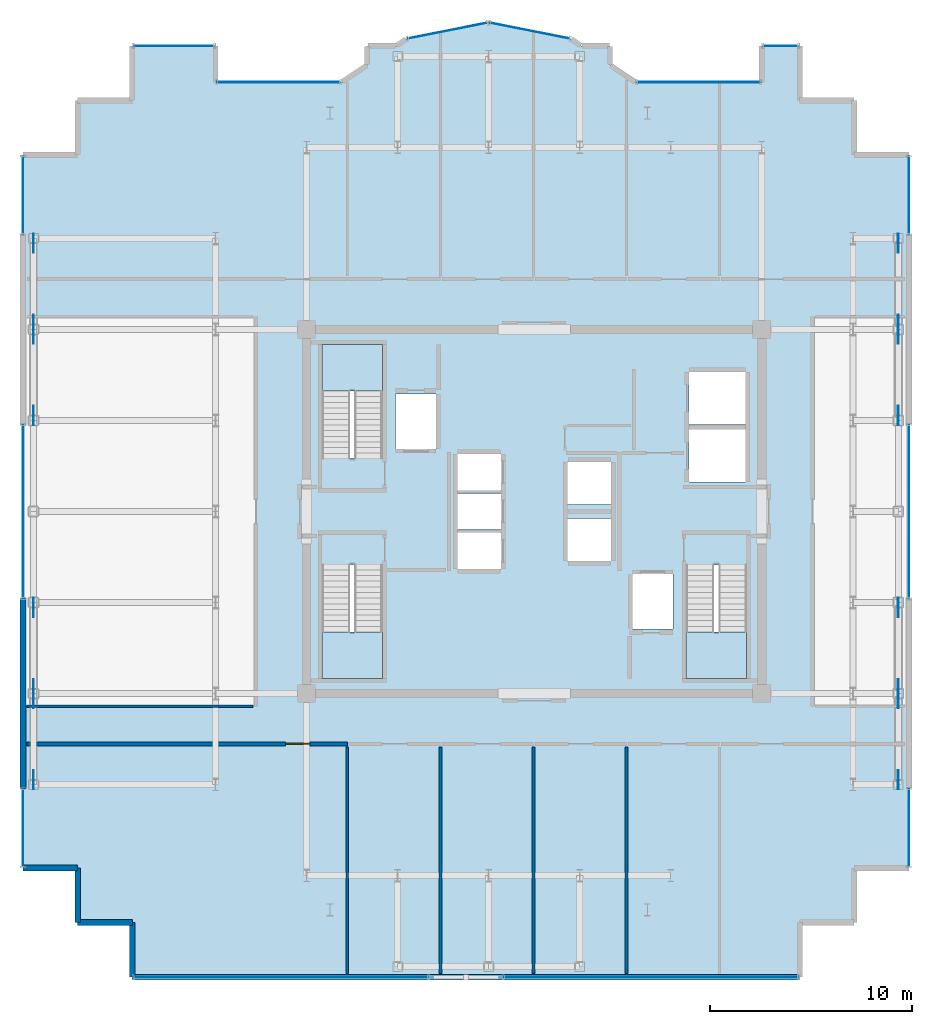
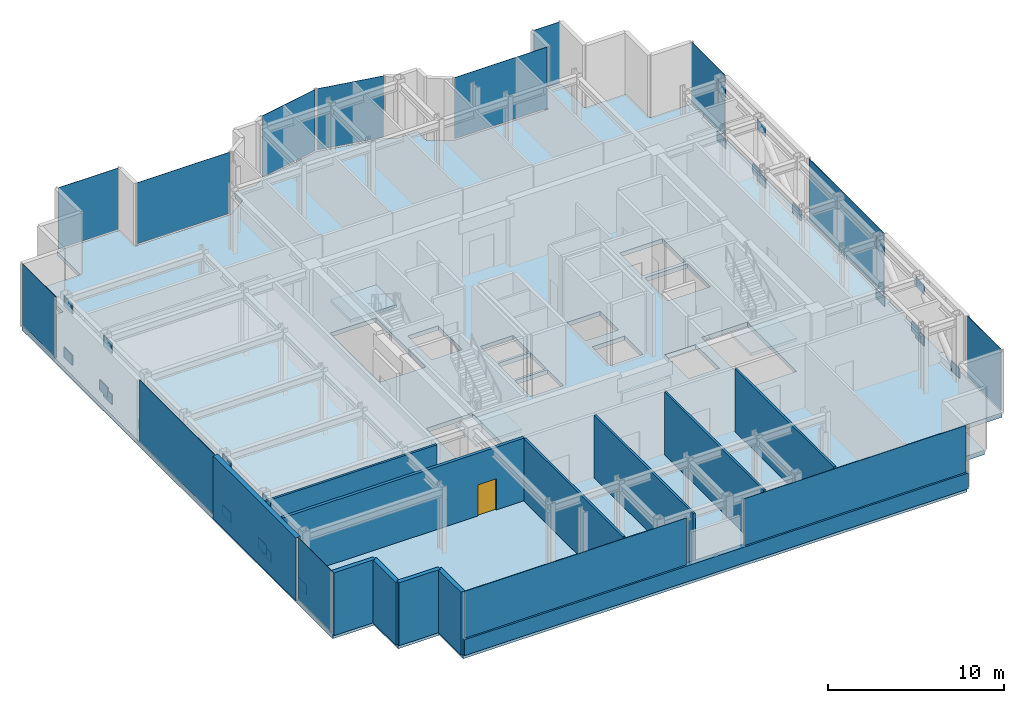
# One storey, part 12 of 18: 38 plates, 12 walls, 4 slabs, 1 door, 1 opening, 17 elements without a shape of their own.
"""IFC4 building model written with IfcOpenShell, lengths in metres."""

import ifcopenshell
import ifcopenshell.guid

model = None  # the IFC model being written
_history = None  # IfcOwnerHistory: only IFC2X3 demands one
_inside = {}  # id of a spatial element -> (the spatial element, [elements in it])
_under = {}  # id of a project, library or spatial element -> (it, [spatial elements below it])
_declared = {}  # id of a project -> (the project, [libraries it declares])
_typed = {}  # id of a type object -> (the type object, [elements of that type])
_made_of = {}  # id of a material, layer set ... -> (it, [elements and type objects made of it])


def new_model(schema):
    """Start an empty IFC model of exactly this schema.

    Asked for "IFC4X3", IfcOpenShell would pick the latest addendum, in which some entities
    have other attributes; the version numbers below select the first issue.
    IFC2X3 requires an IfcOwnerHistory on every rooted entity: one is made here for all.
    """
    global model, _history
    if schema == "IFC4X3":
        model = ifcopenshell.file(schema_version=(4, 3, 0, 0))
    else:
        model = ifcopenshell.file(schema=schema)
    _inside.clear()
    _under.clear()
    _declared.clear()
    _typed.clear()
    _made_of.clear()
    _history = None
    if model.schema == "IFC2X3":
        org = make("IfcOrganization", Name="unknown")
        user = make(
            "IfcPersonAndOrganization",
            ThePerson=make("IfcPerson", FamilyName="unknown"),
            TheOrganization=org,
        )
        app = make(
            "IfcApplication",
            ApplicationDeveloper=org,
            Version="unknown",
            ApplicationFullName="unknown",
            ApplicationIdentifier="unknown",
        )
        _history = make(
            "IfcOwnerHistory",
            OwningUser=user,
            OwningApplication=app,
            ChangeAction="ADDED",
            CreationDate=0,
        )
    return model


def make(cls, **values):
    """One entity of the class cls with the attributes given. An attribute that is None is left unset."""
    return model.create_entity(
        cls, **{name: value for name, value in values.items() if value is not None}
    )


def rooted(cls, **values):
    """An entity with a GlobalId (a new one), such as an element, a storey or a relation."""
    return make(cls, GlobalId=ifcopenshell.guid.new(), OwnerHistory=_history, **values)


def si_unit(unit_type, name, prefix=None):
    """IfcSIUnit, for example si_unit("LENGTHUNIT", "METRE", prefix="MILLI")."""
    return make("IfcSIUnit", UnitType=unit_type, Prefix=prefix, Name=name)


def assignment(units):
    """IfcUnitAssignment: the units of a project."""
    return None if units is None else make("IfcUnitAssignment", Units=units)


def point(xyz):
    """IfcCartesianPoint."""
    return None if xyz is None else make("IfcCartesianPoint", Coordinates=xyz)


def direction(xyz):
    """IfcDirection."""
    return None if xyz is None else make("IfcDirection", DirectionRatios=xyz)


def frame(location, z_axis=None, x_axis=None):
    """IfcAxis2Placement3D, a coordinate frame: its origin and axes. An axis left out is left unset."""
    return make(
        "IfcAxis2Placement3D",
        Location=point(location),
        Axis=direction(z_axis),
        RefDirection=direction(x_axis),
    )


def frame_2d(location, x_axis=None):
    """IfcAxis2Placement2D, a coordinate frame in the plane: its origin and x axis."""
    return make(
        "IfcAxis2Placement2D", Location=point(location), RefDirection=direction(x_axis)
    )


def origin():
    """The frame at (0, 0, 0) with its axes left unset."""
    return frame((0.0, 0.0, 0.0))


def origin_2d():
    """The frame at (0, 0) in the plane with its x axis left unset."""
    return frame_2d((0.0, 0.0))


def place(relative_to, where):
    """IfcLocalPlacement: puts the frame where relative to a parent placement (None: the world)."""
    return make(
        "IfcLocalPlacement", PlacementRelTo=relative_to, RelativePlacement=where
    )


def context(
    kind, dimensions, precision=None, world=None, true_north=None, identifier=None
):
    """IfcGeometricRepresentationContext, for example the 3D "Model" context."""
    return make(
        "IfcGeometricRepresentationContext",
        ContextIdentifier=identifier,
        ContextType=kind,
        CoordinateSpaceDimension=dimensions,
        Precision=precision,
        WorldCoordinateSystem=world,
        TrueNorth=true_north,
    )


def subcontext(parent, identifier, kind, view, scale=None):
    """IfcGeometricRepresentationSubContext, for example "Body" below "Model"."""
    return make(
        "IfcGeometricRepresentationSubContext",
        ContextIdentifier=identifier,
        ContextType=kind,
        ParentContext=parent,
        TargetScale=scale,
        TargetView=view,
    )


def project(units=None, contexts=None):
    """IfcProject with its units and contexts."""
    return rooted(
        "IfcProject",
        Name="project",
        RepresentationContexts=contexts,
        UnitsInContext=assignment(units),
    )


def spatial(cls, under=None, at=None, **own):
    """A site, building, storey or space (cls), placed at a placement, below another one or the project."""
    s = rooted(cls, ObjectPlacement=at, **own)
    if under is not None:
        _under.setdefault(under.id(), (under, []))[1].append(s)
    return s


def polyline(points):
    """IfcPolyline through the points."""
    return make("IfcPolyline", Points=[point(p) for p in points])


def profile(cls, at=None, kind="AREA", **sizes):
    """A parametric profile (cls). Its sizes go by their IFC names, for example OverallWidth=200.0."""
    return make(cls, ProfileType=kind, Position=at, **sizes)


def rectangle(**sizes):
    """IfcRectangleProfileDef."""
    return profile("IfcRectangleProfileDef", **sizes)


def outline(outer, holes=None, kind="AREA"):
    """IfcArbitraryClosedProfileDef: a profile drawn as a closed curve; with holes, ...WithVoids."""
    if holes is None:
        return make("IfcArbitraryClosedProfileDef", ProfileType=kind, OuterCurve=outer)
    return make(
        "IfcArbitraryProfileDefWithVoids",
        ProfileType=kind,
        OuterCurve=outer,
        InnerCurves=holes,
    )


def extrude(swept, where, along, depth):
    """IfcExtrudedAreaSolid: the profile swept, set in the frame where, extruded along a direction by depth."""
    return make(
        "IfcExtrudedAreaSolid",
        SweptArea=swept,
        Position=where,
        ExtrudedDirection=direction(along),
        Depth=depth,
    )


def shape(context_of_items, identifier, shape_type, items):
    """IfcShapeRepresentation: the items that make up one representation, for example the "Body"."""
    return make(
        "IfcShapeRepresentation",
        ContextOfItems=context_of_items,
        RepresentationIdentifier=identifier,
        RepresentationType=shape_type,
        Items=items,
    )


def source(mapping_origin, context_of_items, identifier, shape_type, items):
    """IfcRepresentationMap: a shape defined once, which mapped items show again and again."""
    return make(
        "IfcRepresentationMap",
        MappingOrigin=mapping_origin,
        MappedRepresentation=shape(context_of_items, identifier, shape_type, items),
    )


def transform(
    local_origin,
    x_axis=None,
    y_axis=None,
    z_axis=None,
    scale=None,
    scale2=None,
    scale3=None,
    uniform=True,
):
    """IfcCartesianTransformationOperator3D, or its non-uniform kind. x_axis, y_axis, z_axis: its Axis1, 2, 3."""
    if uniform:
        return make(
            "IfcCartesianTransformationOperator3D",
            Axis1=direction(x_axis),
            Axis2=direction(y_axis),
            LocalOrigin=point(local_origin),
            Scale=scale,
            Axis3=direction(z_axis),
        )
    return make(
        "IfcCartesianTransformationOperator3DnonUniform",
        Axis1=direction(x_axis),
        Axis2=direction(y_axis),
        LocalOrigin=point(local_origin),
        Scale=scale,
        Axis3=direction(z_axis),
        Scale2=scale2,
        Scale3=scale3,
    )


def mapped(mapping_source, mapping_target):
    """IfcMappedItem: shows the shape of a source again, moved by a transform."""
    return make(
        "IfcMappedItem", MappingSource=mapping_source, MappingTarget=mapping_target
    )


def material(Name=None, Category=None):
    """IfcMaterial."""
    return make("IfcMaterial", Name=Name, Category=Category)


def layer(
    of_material, thickness, ventilated=None, Name=None, Category=None, Priority=None
):
    """IfcMaterialLayer: one layer of a wall or slab, of a material (None: an air gap)."""
    return make(
        "IfcMaterialLayer",
        Material=of_material,
        LayerThickness=thickness,
        IsVentilated=ventilated,
        Name=Name,
        Category=Category,
        Priority=Priority,
    )


def layer_set(layers, Name=None):
    """IfcMaterialLayerSet."""
    return make("IfcMaterialLayerSet", MaterialLayers=layers, LayerSetName=Name)


def made_of(thing, what):
    """Note that an element or type object is made of a material, layer set ...; save() writes the relation."""
    if what is not None:
        _made_of.setdefault(what.id(), (what, []))[1].append(thing)
    return thing


def type_object(cls, material=None, **own):
    """A type object (cls), such as IfcWallType, which elements share."""
    return made_of(rooted(cls, **own), material)


def element(
    cls,
    number,
    at=None,
    inside=None,
    cuts=None,
    type_object=None,
    material=None,
    context=None,
    identifier="Body",
    shape_type=None,
    held_by="IfcProductDefinitionShape",
    body=None,
    shapes=None,
    **own,
):
    """One element of the class cls, such as IfcWall. Its Tag is "e" and its number.

    at: its placement. inside: the storey or other place that contains it. cuts: it is an
    opening in that element (IfcRelVoidsElement). A single representation is given by context,
    identifier, shape_type and body (its items); several are given by shapes. held_by: the class
    of the entity that holds the representations. save() writes the other relations.
    """
    e = rooted(cls, Tag="e%d" % number, ObjectPlacement=at, **own)
    if body is not None:
        shapes = [shape(context, identifier, shape_type, body)]
    if shapes is not None:
        e.Representation = make(held_by, Representations=shapes)
    if inside is not None:
        _inside.setdefault(inside.id(), (inside, []))[1].append(e)
    if cuts is not None:
        rooted(
            "IfcRelVoidsElement", RelatingBuildingElement=cuts, RelatedOpeningElement=e
        )
    if type_object is not None:
        _typed.setdefault(type_object.id(), (type_object, []))[1].append(e)
    return made_of(e, material)


def fill(opening, filler):
    """IfcRelFillsElement: the door or window that sits in an opening."""
    return rooted(
        "IfcRelFillsElement",
        RelatingOpeningElement=opening,
        RelatedBuildingElement=filler,
    )


def aggregate(whole, parts):
    """IfcRelAggregates: a whole, such as a stair, and the parts it consists of."""
    return rooted("IfcRelAggregates", RelatingObject=whole, RelatedObjects=parts)


def save(model, path):
    """Write the relations noted so far, then the file.

    IfcRelAggregates (storeys below a building ...), IfcRelContainedInSpatialStructure (elements
    in a storey), IfcRelDefinesByType, IfcRelAssociatesMaterial and IfcRelDeclares: one each for
    every whole, place, type object, material and project.
    """
    for whole, parts in _under.values():
        aggregate(whole, parts)
    for where, things in _inside.values():
        rooted(
            "IfcRelContainedInSpatialStructure",
            RelatedElements=things,
            RelatingStructure=where,
        )
    for kind, things in _typed.values():
        rooted("IfcRelDefinesByType", RelatedObjects=things, RelatingType=kind)
    for what, things in _made_of.values():
        rooted("IfcRelAssociatesMaterial", RelatedObjects=things, RelatingMaterial=what)
    for by, libraries in _declared.values():
        rooted("IfcRelDeclares", RelatingContext=by, RelatedDefinitions=libraries)
    model.write(path)


model = new_model("IFC4")

# Units and contexts
model_context = context("Model", 3, precision=1e-05, world=origin(), true_north=direction((0.0, 1.0)))
body_context = subcontext(model_context, "Body", "Model", "MODEL_VIEW")
ifc_project = project(units=[si_unit("LENGTHUNIT", "METRE"), si_unit("AREAUNIT", "SQUARE_METRE"), si_unit("VOLUMEUNIT", "CUBIC_METRE"), si_unit("PLANEANGLEUNIT", "RADIAN"), si_unit("MASSUNIT", "GRAM", prefix="KILO")], contexts=[model_context])

# Site, building, storey
site_placement = place(None, origin())
site = spatial("IfcSite", under=ifc_project, at=site_placement, CompositionType="ELEMENT")
building_placement = place(site_placement, origin())
building = spatial("IfcBuilding", under=site, at=building_placement, Name="Nefas-Gora Pilgrimage Tower", CompositionType="ELEMENT")
storey_placement = place(building_placement, frame((0.0, 0.0, 317.800048828125)))
storey = spatial("IfcBuildingStorey", under=building, at=storey_placement, Name="L80", CompositionType="ELEMENT", Elevation=317.800048828125)

# Slab
ifc_material_1 = material(Name="Concrete C45/55", Category="concrete")
ifc_layer_1 = layer(ifc_material_1, 0.300048828125)
ifc_layer_set_1 = layer_set([ifc_layer_1], Name="Concrete C45/55")
slab_type_1 = type_object("IfcSlabType", Name="SLB-SPEC-300", PredefinedType="FLOOR", material=ifc_layer_set_1)
slab_1_placement = place(storey_placement, frame((0.0, 0.0, -0.300048828125)))
element("IfcSlab", 1, at=slab_1_placement, inside=storey, type_object=slab_type_1, Name="L80 Structural Floor Slab", PredefinedType="FLOOR", context=body_context, shape_type="SweptSolid", body=[
    extrude(outline(polyline([(15.820068359375, -17.6201171875), (18.52001953125, -17.6201171875), (18.52001953125, 17.6201171875), (15.820068359375, 17.6201171875), (15.820068359375, 20.320068359375), (13.1201171875, 20.320068359375), (13.1201171875, 23.02001953125), (11.25, 23.02001953125), (11.25, 21.219970703125), (5.01806640625, 21.219970703125), (3.75, 22.0673828125), (3.75, 23.02001953125), (2.32421875, 23.02001953125), (1.807373046875, 23.365234375), (-2.25, 24.17236328125), (-6.307373046875, 23.365234375), (-6.82421875, 23.02001953125), (-8.25, 23.02001953125), (-8.25, 22.0673828125), (-9.51806640625, 21.219970703125), (-15.75, 21.219970703125), (-15.75, 23.02001953125), (-19.8701171875, 23.02001953125), (-19.8701171875, 20.320068359375), (-22.570068359375, 20.320068359375), (-22.570068359375, 17.6201171875), (-25.27001953125, 17.6201171875), (-25.27001953125, -17.6201171875), (-22.570068359375, -17.6201171875), (-22.570068359375, -20.320068359375), (-19.8701171875, -20.320068359375), (-19.8701171875, -23.02001953125), (13.1201171875, -23.02001953125), (13.1201171875, -20.320068359375), (15.820068359375, -20.320068359375), (15.820068359375, -17.6201171875)]), holes=[polyline([(-10.5, 2.639892578125), (-10.5, 8.25), (-7.5, 8.25), (-7.5, 2.639892578125), (-10.5, 2.639892578125)]), polyline([(10.5, -2.639892578125), (10.5, -8.25), (7.5, -8.25), (7.5, -2.639892578125), (10.5, -2.639892578125)]), polyline([(-7.5, -2.639892578125), (-7.5, -8.25), (-10.5, -8.25), (-10.5, -2.639892578125), (-7.5, -2.639892578125)]), polyline([(-6.85009765625, 5.800048828125), (-4.85009765625, 5.800048828125), (-4.85009765625, 3.10009765625), (-6.85009765625, 3.10009765625), (-6.85009765625, 5.800048828125)]), polyline([(4.85009765625, -3.10009765625), (6.85009765625, -3.10009765625), (6.85009765625, -5.800048828125), (4.85009765625, -5.800048828125), (4.85009765625, -3.10009765625)]), polyline([(7.64990234375, 4.050048828125), (10.449951171875, 4.050048828125), (10.449951171875, 1.449951171875), (7.64990234375, 1.449951171875), (7.64990234375, 4.050048828125)]), polyline([(7.64990234375, 6.89990234375), (10.449951171875, 6.89990234375), (10.449951171875, 4.300048828125), (7.64990234375, 4.300048828125), (7.64990234375, 6.89990234375)]), polyline([(-3.800048828125, -1.050048828125), (-1.64990234375, -1.050048828125), (-1.64990234375, -2.85009765625), (-3.800048828125, -2.85009765625), (-3.800048828125, -1.050048828125)]), polyline([(-3.800048828125, 0.89990234375), (-1.64990234375, 0.89990234375), (-1.64990234375, -0.89990234375), (-3.800048828125, -0.89990234375), (-3.800048828125, 0.89990234375)]), polyline([(-3.800048828125, 2.85009765625), (-1.64990234375, 2.85009765625), (-1.64990234375, 1.050048828125), (-3.800048828125, 1.050048828125), (-3.800048828125, 2.85009765625)]), polyline([(1.64990234375, -0.35009765625), (3.800048828125, -0.35009765625), (3.800048828125, -2.449951171875), (1.64990234375, -2.449951171875), (1.64990234375, -0.35009765625)]), polyline([(1.64990234375, 2.449951171875), (3.800048828125, 2.449951171875), (3.800048828125, 0.35009765625), (1.64990234375, 0.35009765625), (1.64990234375, 2.449951171875)])]), origin(), (0.0, 0.0, 1.0), 0.300048828125),
])

# Stair, slab
stair_type = type_object("IfcStairType", Name="STR-1400-R1769", PredefinedType="HALF_TURN_STAIR", material=ifc_material_1)
stair_1_placement = place(storey_placement, origin())
stair_1 = element("IfcStair", 2, at=stair_1_placement, inside=storey, type_object=stair_type, Name="L80 Pressurised Tower Exit Stair ST-01", PredefinedType="HALF_TURN_STAIR")
ifc_material_2 = material(Name="Concrete C40/50", Category="concrete")
ifc_layer_2 = layer(ifc_material_2, 0.199951171875)
ifc_layer_set_2 = layer_set([ifc_layer_2], Name="Concrete C40/50")
slab_type_2 = type_object("IfcSlabType", Name="STR-LAND-200", PredefinedType="LANDING", material=ifc_layer_set_2)
slab_2_placement = place(storey_placement, frame((0.0, 0.0, 2.099853515625)))
slab_2 = element("IfcSlab", 3, at=slab_2_placement, type_object=slab_type_2, Name="ST-01 landing 1", PredefinedType="LANDING", context=body_context, shape_type="SweptSolid", body=[
    extrude(outline(polyline([(-7.5, 5.9599609375), (-7.5, 8.25), (-10.5, 8.25), (-10.5, 5.9599609375), (-7.5, 5.9599609375)])), origin(), (0.0, 0.0, 1.0), 0.2001953125),
])
aggregate(stair_1, [slab_2])

stair_2_placement = place(storey_placement, origin())
stair_2 = element("IfcStair", 4, at=stair_2_placement, inside=storey, type_object=stair_type, Name="L80 Pressurised Tower Exit Stair ST-02", PredefinedType="HALF_TURN_STAIR")
slab_3_placement = place(storey_placement, frame((0.0, 0.0, 2.099853515625)))
slab_3 = element("IfcSlab", 5, at=slab_3_placement, type_object=slab_type_2, Name="ST-02 landing 1", PredefinedType="LANDING", context=body_context, shape_type="SweptSolid", body=[
    extrude(outline(polyline([(7.5, -5.9599609375), (7.5, -8.25), (10.5, -8.25), (10.5, -5.9599609375), (7.5, -5.9599609375)])), origin(), (0.0, 0.0, 1.0), 0.2001953125),
])
aggregate(stair_2, [slab_3])

stair_3_placement = place(storey_placement, origin())
stair_3 = element("IfcStair", 6, at=stair_3_placement, inside=storey, type_object=stair_type, Name="L80 Pressurised Tower Exit Stair ST-03", PredefinedType="HALF_TURN_STAIR")
slab_4_placement = place(storey_placement, frame((0.0, 0.0, 2.099853515625)))
slab_4 = element("IfcSlab", 7, at=slab_4_placement, type_object=slab_type_2, Name="ST-03 landing 1", PredefinedType="LANDING", context=body_context, shape_type="SweptSolid", body=[
    extrude(outline(polyline([(-10.5, -5.9599609375), (-10.5, -8.25), (-7.5, -8.25), (-7.5, -5.9599609375), (-10.5, -5.9599609375)])), origin(), (0.0, 0.0, 1.0), 0.2001953125),
])
aggregate(stair_3, [slab_4])

# Plates
ifc_material_3 = material(Name="Steel S460", Category="steel")
ifc_layer_3 = layer(ifc_material_3, 0.0458984375)
ifc_layer_set_3 = layer_set([ifc_layer_3], Name="Steel S460")
plate_type_1 = type_object("IfcPlateType", Name="PLT-NODE-N06", PredefinedType="USERDEFINED", material=ifc_layer_set_3)
shared_shape_1 = source(origin(), body_context, "Body", "SweptSolid", [
    extrude(rectangle(XDim=0.9599609375, YDim=0.0419921875, at=origin_2d()), origin(), (0.0, 0.0, 1.0), 0.679931640625),
])
for number, where, z_axis, x_axis, name in (
    (8, (-24.75, -13.261962890625, 0.20849609375), (0.0, 0.0, 1.0), (0.0, 1.0, 0.0), "Structural Node Gusset Plate N06 (L80)"),
    (9, (-24.75, -9.238037109375, 0.009765625), (0.0, 0.0, 1.0), (0.0, 1.0, 0.0), "Structural Node Gusset Plate N06 (L80)"),
    (10, (-24.75, -9.238037109375, 3.5615234375), (0.0, 0.0, 1.0), (0.0, 1.0, 0.0), "Structural Node Gusset Plate N06 (L80)"),
    (11, (-24.75, -8.761962890625, 0.20849609375), (0.0, 0.0, 1.0), (0.0, 1.0, 0.0), "Structural Node Gusset Plate N06 (L80)"),
    (12, (-24.75, -4.738037109375, 0.009765625), (0.0, 0.0, 1.0), (0.0, 1.0, 0.0), "Structural Node Gusset Plate N06 (L80)"),
    (13, (-24.75, -4.738037109375, 3.5615234375), (0.0, 0.0, 1.0), (0.0, 1.0, 0.0), "Structural Node Gusset Plate N06 (L80)"),
    (14, (-24.75, 4.738037109375, 0.20849609375), (0.0, 0.0, 1.0), (0.0, 1.0, 0.0), "Structural Node Gusset Plate N06 (L80)"),
    (15, (-24.75, 8.761962890625, 0.009765625), (0.0, 0.0, 1.0), (0.0, 1.0, 0.0), "Structural Node Gusset Plate N06 (L80)"),
    (16, (-24.75, 8.761962890625, 3.5615234375), (0.0, 0.0, 1.0), (0.0, 1.0, 0.0), "Structural Node Gusset Plate N06 (L80)"),
    (17, (-24.75, 9.238037109375, 0.20849609375), (0.0, 0.0, 1.0), (0.0, 1.0, 0.0), "Structural Node Gusset Plate N06 (L80)"),
    (18, (-24.75, 13.261962890625, 0.009765625), (0.0, 0.0, 1.0), (0.0, 1.0, 0.0), "Structural Node Gusset Plate N06 (L80)"),
    (19, (-24.75, 13.261962890625, 3.5615234375), (0.0, 0.0, 1.0), (0.0, 1.0, 0.0), "Structural Node Gusset Plate N06 (L80)"),
    (20, (18.0, -13.261962890625, 0.20849609375), (0.0, 0.0, 1.0), (0.0, 1.0, 0.0), "Structural Node Gusset Plate N06 (L80)"),
    (21, (18.0, -9.238037109375, 0.009765625), (0.0, 0.0, 1.0), (0.0, 1.0, 0.0), "Structural Node Gusset Plate N06 (L80)"),
    (22, (18.0, -9.238037109375, 3.5615234375), (0.0, 0.0, 1.0), (0.0, 1.0, 0.0), "Structural Node Gusset Plate N06 (L80)"),
    (23, (18.0, -8.761962890625, 0.20849609375), (0.0, 0.0, 1.0), (0.0, 1.0, 0.0), "Structural Node Gusset Plate N06 (L80)"),
    (24, (18.0, -4.738037109375, 0.009765625), (0.0, 0.0, 1.0), (0.0, 1.0, 0.0), "Structural Node Gusset Plate N06 (L80)"),
    (25, (18.0, -4.738037109375, 3.5615234375), (0.0, 0.0, 1.0), (0.0, 1.0, 0.0), "Structural Node Gusset Plate N06 (L80)"),
    (26, (18.0, 4.738037109375, 0.20849609375), (0.0, 0.0, 1.0), (0.0, 1.0, 0.0), "Structural Node Gusset Plate N06 (L80)"),
    (27, (18.0, 8.761962890625, 0.009765625), (0.0, 0.0, 1.0), (0.0, 1.0, 0.0), "Structural Node Gusset Plate N06 (L80)"),
    (28, (18.0, 8.761962890625, 3.5615234375), (0.0, 0.0, 1.0), (0.0, 1.0, 0.0), "Structural Node Gusset Plate N06 (L80)"),
    (29, (18.0, 9.238037109375, 0.20849609375), (0.0, 0.0, 1.0), (0.0, 1.0, 0.0), "Structural Node Gusset Plate N06 (L80)"),
    (30, (18.0, 13.261962890625, 0.009765625), (0.0, 0.0, 1.0), (0.0, 1.0, 0.0), "Structural Node Gusset Plate N06 (L80)"),
    (31, (18.0, 13.261962890625, 3.5615234375), (0.0, 0.0, 1.0), (0.0, 1.0, 0.0), "Structural Node Gusset Plate N06 (L80)"),
):
    element("IfcPlate", number, at=place(storey_placement, frame(where, z_axis=z_axis, x_axis=x_axis)), inside=storey, type_object=plate_type_1, Name=name, ObjectType="GUSSET_PLATE", PredefinedType="USERDEFINED", context=body_context, shape_type="MappedRepresentation", body=[
        mapped(shared_shape_1, transform((0.0, 0.0, 0.0), x_axis=(1.0, 0.0, 0.0), y_axis=(0.0, 1.0, 0.0), z_axis=(0.0, 0.0, 1.0), scale=1.0)),
    ])

# Curtain wall, plate
ifc_material_4 = material(Name="Dark ceramic-fritted solar-control aluminium-glass curtain wall", Category="aluminium")
ifc_layer_4 = layer(ifc_material_4, 0.219970703125)
ifc_layer_set_4 = layer_set([ifc_layer_4], Name="Dark ceramic-fritted solar-control aluminium-glass curtain wall")
curtain_wall_type_1 = type_object("IfcCurtainWallType", Name="CW-SYS-5", PredefinedType="NOTDEFINED", material=ifc_layer_set_4)
curtain_wall_1_placement = place(storey_placement, origin())
curtain_wall_1 = element("IfcCurtainWall", 32, at=curtain_wall_1_placement, inside=storey, type_object=curtain_wall_type_1, Name="L80 Unitised Curtain Wall CW5", PredefinedType="NOTDEFINED")
ifc_material_5 = material(Name="Dark ceramic-printed low-e insulated glass", Category="glass")
ifc_layer_5 = layer(ifc_material_5, 0.028076171875)
ifc_layer_set_5 = layer_set([ifc_layer_5], Name="Dark ceramic-printed low-e insulated glass")
plate_type_2 = type_object("IfcPlateType", Name="CWP-PNL-5", PredefinedType="CURTAIN_PANEL", material=ifc_layer_set_5)
shared_shape_2 = source(origin(), body_context, "Body", "SweptSolid", [
    extrude(rectangle(XDim=6.052001953125, YDim=0.028076171875, at=origin_2d()), origin(), (0.0, 0.0, 1.0), 4.239990234375),
])
plate_1_placement = place(storey_placement, frame((8.134033203125, 21.219970703125, 0.10009765625), z_axis=(0.0, 0.0, 1.0), x_axis=(-1.0, 0.0, 0.0)))
plate_1 = element("IfcPlate", 33, at=plate_1_placement, type_object=plate_type_2, Name="CW5 Ceramic-Fritted Glazing Panel 1", PredefinedType="CURTAIN_PANEL", context=body_context, shape_type="MappedRepresentation", body=[
    mapped(shared_shape_2, transform((0.0, 0.0, 0.0), x_axis=(1.0, 0.0, 0.0), y_axis=(0.0, 1.0, 0.0), z_axis=(0.0, 0.0, 1.0), scale=1.0)),
])
aggregate(curtain_wall_1, [plate_1])

curtain_wall_2_placement = place(storey_placement, origin())
curtain_wall_2 = element("IfcCurtainWall", 34, at=curtain_wall_2_placement, inside=storey, type_object=curtain_wall_type_1, Name="L80 Unitised Curtain Wall CW5", PredefinedType="NOTDEFINED")
plate_2_placement = place(storey_placement, frame((-12.634033203125, 21.219970703125, 0.10009765625), z_axis=(0.0, 0.0, 1.0), x_axis=(-1.0, 0.0, 0.0)))
plate_2 = element("IfcPlate", 35, at=plate_2_placement, type_object=plate_type_2, Name="CW5 Ceramic-Fritted Glazing Panel 1", PredefinedType="CURTAIN_PANEL", context=body_context, shape_type="MappedRepresentation", body=[
    mapped(shared_shape_2, transform((0.0, 0.0, 0.0), x_axis=(1.0, 0.0, 0.0), y_axis=(0.0, 1.0, 0.0), z_axis=(0.0, 0.0, 1.0), scale=1.0)),
])
aggregate(curtain_wall_2, [plate_2])

curtain_wall_3_placement = place(storey_placement, origin())
curtain_wall_3 = element("IfcCurtainWall", 36, at=curtain_wall_3_placement, inside=storey, type_object=curtain_wall_type_1, Name="L80 Unitised Curtain Wall CW5", PredefinedType="NOTDEFINED")
shared_shape_3 = source(origin(), body_context, "Body", "SweptSolid", [
    extrude(rectangle(XDim=3.956787109375, YDim=0.028076171875, at=origin_2d()), origin(), (0.0, 0.0, 1.0), 4.239990234375),
])
plate_3_placement = place(storey_placement, frame((-0.22119140625, 23.768798828125, 0.10009765625), z_axis=(0.0, 0.0, 1.0), x_axis=(-0.980782896852, 0.195102304554, 0.0)))
plate_3 = element("IfcPlate", 37, at=plate_3_placement, type_object=plate_type_2, Name="CW5 Ceramic-Fritted Glazing Panel 1", PredefinedType="CURTAIN_PANEL", context=body_context, shape_type="MappedRepresentation", body=[
    mapped(shared_shape_3, transform((0.0, 0.0, 0.0), x_axis=(1.0, 0.0, 0.0), y_axis=(0.0, 1.0, 0.0), z_axis=(0.0, 0.0, 1.0), scale=1.0)),
])
aggregate(curtain_wall_3, [plate_3])

curtain_wall_4_placement = place(storey_placement, origin())
curtain_wall_4 = element("IfcCurtainWall", 38, at=curtain_wall_4_placement, inside=storey, type_object=curtain_wall_type_1, Name="L80 Unitised Curtain Wall CW5", PredefinedType="NOTDEFINED")
plate_4_placement = place(storey_placement, frame((-4.278564453125, 23.768798828125, 0.10009765625), z_axis=(0.0, 0.0, 1.0), x_axis=(-0.980782896852, -0.195102304554, 0.0)))
plate_4 = element("IfcPlate", 39, at=plate_4_placement, type_object=plate_type_2, Name="CW5 Ceramic-Fritted Glazing Panel 1", PredefinedType="CURTAIN_PANEL", context=body_context, shape_type="MappedRepresentation", body=[
    mapped(shared_shape_3, transform((0.0, 0.0, 0.0), x_axis=(1.0, 0.0, 0.0), y_axis=(0.0, 1.0, 0.0), z_axis=(0.0, 0.0, 1.0), scale=1.0)),
])
aggregate(curtain_wall_4, [plate_4])

ifc_layer_6 = layer(ifc_material_4, 0.219970703125)
ifc_layer_set_6 = layer_set([ifc_layer_6], Name="Dark ceramic-fritted solar-control aluminium-glass curtain wall")
curtain_wall_type_2 = type_object("IfcCurtainWallType", Name="CW-SYS-4", PredefinedType="NOTDEFINED", material=ifc_layer_set_6)
curtain_wall_5_placement = place(storey_placement, origin())
curtain_wall_5 = element("IfcCurtainWall", 40, at=curtain_wall_5_placement, inside=storey, type_object=curtain_wall_type_2, Name="L80 Unitised Curtain Wall CW4", PredefinedType="NOTDEFINED")
ifc_layer_7 = layer(ifc_material_5, 0.030029296875)
ifc_layer_set_7 = layer_set([ifc_layer_7], Name="Dark ceramic-printed low-e insulated glass")
plate_type_3 = type_object("IfcPlateType", Name="CWP-PNL-4", PredefinedType="CURTAIN_PANEL", material=ifc_layer_set_7)
shared_shape_4 = source(origin(), body_context, "Body", "SweptSolid", [
    extrude(rectangle(XDim=3.7900390625, YDim=0.030029296875, at=origin_2d()), origin(), (0.0, 0.0, 1.0), 4.239990234375),
])
plate_5_placement = place(storey_placement, frame((18.52001953125, -15.635009765625, 0.10009765625), z_axis=(0.0, 0.0, 1.0), x_axis=(0.0, 1.0, 0.0)))
plate_5 = element("IfcPlate", 41, at=plate_5_placement, type_object=plate_type_3, Name="CW4 Ceramic-Fritted Glazing Panel 1", PredefinedType="CURTAIN_PANEL", context=body_context, shape_type="MappedRepresentation", body=[
    mapped(shared_shape_4, transform((0.0, 0.0, 0.0), x_axis=(1.0, 0.0, 0.0), y_axis=(0.0, 1.0, 0.0), z_axis=(0.0, 0.0, 1.0), scale=1.0)),
])
aggregate(curtain_wall_5, [plate_5])

curtain_wall_6_placement = place(storey_placement, origin())
curtain_wall_6 = element("IfcCurtainWall", 42, at=curtain_wall_6_placement, inside=storey, type_object=curtain_wall_type_2, Name="L80 Unitised Curtain Wall CW4", PredefinedType="NOTDEFINED")
plate_6_placement = place(storey_placement, frame((18.52001953125, 15.635009765625, 0.10009765625), z_axis=(0.0, 0.0, 1.0), x_axis=(0.0, 1.0, 0.0)))
plate_6 = element("IfcPlate", 43, at=plate_6_placement, type_object=plate_type_3, Name="CW4 Ceramic-Fritted Glazing Panel 1", PredefinedType="CURTAIN_PANEL", context=body_context, shape_type="MappedRepresentation", body=[
    mapped(shared_shape_4, transform((0.0, 0.0, 0.0), x_axis=(1.0, 0.0, 0.0), y_axis=(0.0, 1.0, 0.0), z_axis=(0.0, 0.0, 1.0), scale=1.0)),
])
aggregate(curtain_wall_6, [plate_6])

curtain_wall_7_placement = place(storey_placement, origin())
curtain_wall_7 = element("IfcCurtainWall", 44, at=curtain_wall_7_placement, inside=storey, type_object=curtain_wall_type_2, Name="L80 Unitised Curtain Wall CW4", PredefinedType="NOTDEFINED")
plate_7_placement = place(storey_placement, frame((-25.27001953125, 15.635009765625, 0.10009765625), z_axis=(0.0, 0.0, 1.0), x_axis=(0.0, -1.0, 0.0)))
plate_7 = element("IfcPlate", 45, at=plate_7_placement, type_object=plate_type_3, Name="CW4 Ceramic-Fritted Glazing Panel 1", PredefinedType="CURTAIN_PANEL", context=body_context, shape_type="MappedRepresentation", body=[
    mapped(shared_shape_4, transform((0.0, 0.0, 0.0), x_axis=(1.0, 0.0, 0.0), y_axis=(0.0, 1.0, 0.0), z_axis=(0.0, 0.0, 1.0), scale=1.0)),
])
aggregate(curtain_wall_7, [plate_7])

curtain_wall_8_placement = place(storey_placement, origin())
curtain_wall_8 = element("IfcCurtainWall", 46, at=curtain_wall_8_placement, inside=storey, type_object=curtain_wall_type_2, Name="L80 Unitised Curtain Wall CW4", PredefinedType="NOTDEFINED")
plate_8_placement = place(storey_placement, frame((-25.27001953125, -15.635009765625, 0.10009765625), z_axis=(0.0, 0.0, 1.0), x_axis=(0.0, -1.0, 0.0)))
plate_8 = element("IfcPlate", 47, at=plate_8_placement, type_object=plate_type_3, Name="CW4 Ceramic-Fritted Glazing Panel 1", PredefinedType="CURTAIN_PANEL", context=body_context, shape_type="MappedRepresentation", body=[
    mapped(shared_shape_4, transform((0.0, 0.0, 0.0), x_axis=(1.0, 0.0, 0.0), y_axis=(0.0, 1.0, 0.0), z_axis=(0.0, 0.0, 1.0), scale=1.0)),
])
aggregate(curtain_wall_8, [plate_8])

curtain_wall_9_placement = place(storey_placement, origin())
curtain_wall_9 = element("IfcCurtainWall", 48, at=curtain_wall_9_placement, inside=storey, type_object=curtain_wall_type_2, Name="L80 Unitised Curtain Wall CW4", PredefinedType="NOTDEFINED")
shared_shape_5 = source(origin(), body_context, "Body", "SweptSolid", [
    extrude(rectangle(XDim=8.52001953125, YDim=0.030029296875, at=origin_2d()), origin(), (0.0, 0.0, 1.0), 4.239990234375),
])
plate_9_placement = place(storey_placement, frame((18.52001953125, 0.0, 0.10009765625), z_axis=(0.0, 0.0, 1.0), x_axis=(0.0, 1.0, 0.0)))
plate_9 = element("IfcPlate", 49, at=plate_9_placement, type_object=plate_type_3, Name="CW4 Ceramic-Fritted Glazing Panel 1", PredefinedType="CURTAIN_PANEL", context=body_context, shape_type="MappedRepresentation", body=[
    mapped(shared_shape_5, transform((0.0, 0.0, 0.0), x_axis=(1.0, 0.0, 0.0), y_axis=(0.0, 1.0, 0.0), z_axis=(0.0, 0.0, 1.0), scale=1.0)),
])
aggregate(curtain_wall_9, [plate_9])

curtain_wall_10_placement = place(storey_placement, origin())
curtain_wall_10 = element("IfcCurtainWall", 50, at=curtain_wall_10_placement, inside=storey, type_object=curtain_wall_type_2, Name="L80 Unitised Curtain Wall CW4", PredefinedType="NOTDEFINED")
plate_10_placement = place(storey_placement, frame((-25.27001953125, 0.0, 0.10009765625), z_axis=(0.0, 0.0, 1.0), x_axis=(0.0, -1.0, 0.0)))
plate_10 = element("IfcPlate", 51, at=plate_10_placement, type_object=plate_type_3, Name="CW4 Ceramic-Fritted Glazing Panel 1", PredefinedType="CURTAIN_PANEL", context=body_context, shape_type="MappedRepresentation", body=[
    mapped(shared_shape_5, transform((0.0, 0.0, 0.0), x_axis=(1.0, 0.0, 0.0), y_axis=(0.0, 1.0, 0.0), z_axis=(0.0, 0.0, 1.0), scale=1.0)),
])
aggregate(curtain_wall_10, [plate_10])

curtain_wall_11_placement = place(storey_placement, origin())
curtain_wall_11 = element("IfcCurtainWall", 52, at=curtain_wall_11_placement, inside=storey, type_object=curtain_wall_type_2, Name="L80 Unitised Curtain Wall CW4", PredefinedType="NOTDEFINED")
shared_shape_6 = source(origin(), body_context, "Body", "SweptSolid", [
    extrude(rectangle(XDim=1.68994140625, YDim=0.030029296875, at=origin_2d()), origin(), (0.0, 0.0, 1.0), 4.239990234375),
])
plate_11_placement = place(storey_placement, frame((12.18505859375, 23.02001953125, 0.10009765625), z_axis=(0.0, 0.0, 1.0), x_axis=(-1.0, 0.0, 0.0)))
plate_11 = element("IfcPlate", 53, at=plate_11_placement, type_object=plate_type_3, Name="CW4 Ceramic-Fritted Glazing Panel 1", PredefinedType="CURTAIN_PANEL", context=body_context, shape_type="MappedRepresentation", body=[
    mapped(shared_shape_6, transform((0.0, 0.0, 0.0), x_axis=(1.0, 0.0, 0.0), y_axis=(0.0, 1.0, 0.0), z_axis=(0.0, 0.0, 1.0), scale=1.0)),
])
aggregate(curtain_wall_11, [plate_11])

curtain_wall_12_placement = place(storey_placement, origin())
curtain_wall_12 = element("IfcCurtainWall", 54, at=curtain_wall_12_placement, inside=storey, type_object=curtain_wall_type_2, Name="L80 Unitised Curtain Wall CW4", PredefinedType="NOTDEFINED")
shared_shape_7 = source(origin(), body_context, "Body", "SweptSolid", [
    extrude(rectangle(XDim=3.93994140625, YDim=0.030029296875, at=origin_2d()), origin(), (0.0, 0.0, 1.0), 4.239990234375),
])
plate_12_placement = place(storey_placement, frame((-17.81005859375, 23.02001953125, 0.10009765625), z_axis=(0.0, 0.0, 1.0), x_axis=(-1.0, 0.0, 0.0)))
plate_12 = element("IfcPlate", 55, at=plate_12_placement, type_object=plate_type_3, Name="CW4 Ceramic-Fritted Glazing Panel 1", PredefinedType="CURTAIN_PANEL", context=body_context, shape_type="MappedRepresentation", body=[
    mapped(shared_shape_7, transform((0.0, 0.0, 0.0), x_axis=(1.0, 0.0, 0.0), y_axis=(0.0, 1.0, 0.0), z_axis=(0.0, 0.0, 1.0), scale=1.0)),
])
aggregate(curtain_wall_12, [plate_12])

curtain_wall_13_placement = place(storey_placement, origin())
curtain_wall_13 = element("IfcCurtainWall", 56, at=curtain_wall_13_placement, inside=storey, type_object=curtain_wall_type_2, Name="L80 Unitised Curtain Wall CW4", PredefinedType="NOTDEFINED")
shared_shape_8 = source(origin(), body_context, "Body", "SweptSolid", [
    extrude(rectangle(XDim=14.514892578125, YDim=0.030029296875, at=origin_2d()), origin(), (0.0, 0.0, 1.0), 4.239990234375),
])
plate_13_placement = place(storey_placement, frame((-12.5224609375, -23.02001953125, 0.10009765625), z_axis=(0.0, 0.0, 1.0), x_axis=(1.0, 0.0, 0.0)))
plate_13 = element("IfcPlate", 57, at=plate_13_placement, type_object=plate_type_3, Name="CW4 Ceramic-Fritted Glazing Panel 1", PredefinedType="CURTAIN_PANEL", context=body_context, shape_type="MappedRepresentation", body=[
    mapped(shared_shape_8, transform((0.0, 0.0, 0.0), x_axis=(1.0, 0.0, 0.0), y_axis=(0.0, 1.0, 0.0), z_axis=(0.0, 0.0, 1.0), scale=1.0)),
])
aggregate(curtain_wall_13, [plate_13])

curtain_wall_14_placement = place(storey_placement, origin())
curtain_wall_14 = element("IfcCurtainWall", 58, at=curtain_wall_14_placement, inside=storey, type_object=curtain_wall_type_2, Name="L80 Unitised Curtain Wall CW4", PredefinedType="NOTDEFINED")
plate_14_placement = place(storey_placement, frame((5.7724609375, -23.02001953125, 0.10009765625), z_axis=(0.0, 0.0, 1.0), x_axis=(1.0, 0.0, 0.0)))
plate_14 = element("IfcPlate", 59, at=plate_14_placement, type_object=plate_type_3, Name="CW4 Ceramic-Fritted Glazing Panel 1", PredefinedType="CURTAIN_PANEL", context=body_context, shape_type="MappedRepresentation", body=[
    mapped(shared_shape_8, transform((0.0, 0.0, 0.0), x_axis=(1.0, 0.0, 0.0), y_axis=(0.0, 1.0, 0.0), z_axis=(0.0, 0.0, 1.0), scale=1.0)),
])
aggregate(curtain_wall_14, [plate_14])

# Walls
ifc_material_6 = material(Name="Precast concrete C45/55", Category="concrete")
ifc_layer_8 = layer(ifc_material_6, 0.239990234375)
ifc_layer_set_8 = layer_set([ifc_layer_8], Name="Precast concrete C45/55")
wall_type_1 = type_object("IfcWallType", Name="EW-SERR-240", PredefinedType="SHEAR", material=ifc_layer_set_8)
shared_shape_9 = source(origin(), body_context, "Body", "SweptSolid", [
    extrude(rectangle(XDim=9.3798828125, YDim=0.300048828125, at=frame_2d((4.68994140625, 0.0))), origin(), (0.0, 0.0, 1.0), 4.349853515625),
])
wall_1_placement = place(storey_placement, frame((-25.27001953125, -13.68994140625, 0.0), z_axis=(0.0, 0.0, 1.0), x_axis=(0.0, 1.0, 0.0)))
element("IfcWall", 60, at=wall_1_placement, inside=storey, type_object=wall_type_1, Name="L80 Belt-Truss Precast Shear Cladding 1", PredefinedType="SHEAR", context=body_context, shape_type="MappedRepresentation", body=[
    mapped(shared_shape_9, transform((0.0, 0.0, 0.0), x_axis=(1.0, 0.0, 0.0), y_axis=(0.0, 1.0, 0.0), z_axis=(0.0, 0.0, 1.0), scale=1.0)),
])
ifc_layer_9 = layer(ifc_material_6, 0.280029296875)
ifc_layer_set_9 = layer_set([ifc_layer_9], Name="Precast concrete C45/55")
wall_type_2 = type_object("IfcWallType", Name="EW-PLANT-280", PredefinedType="SOLIDWALL", material=ifc_layer_set_9)
shared_shape_10 = source(origin(), body_context, "Body", "SweptSolid", [
    extrude(rectangle(XDim=2.699951171875, YDim=0.280029296875, at=frame_2d((1.35009765625, 0.0))), origin(), (0.0, 0.0, 1.0), 4.349853515625),
])
for number, where, z_axis, x_axis, name in (
    (61, (-25.27001953125, -17.6201171875, 0.0), (0.0, 0.0, 1.0), (1.0, 0.0, 0.0), "L80 Serrated Corner Shear Pier Wall 24"),
    (62, (-22.570068359375, -17.6201171875, 0.0), (0.0, 0.0, 1.0), (0.0, -1.0, 0.0), "L80 Serrated Corner Shear Pier Wall 25"),
    (63, (-22.570068359375, -20.320068359375, 0.0), (0.0, 0.0, 1.0), (1.0, 0.0, 0.0), "L80 Serrated Corner Shear Pier Wall 26"),
    (64, (-19.8701171875, -20.320068359375, 0.0), (0.0, 0.0, 1.0), (0.0, -1.0, 0.0), "L80 Serrated Corner Shear Pier Wall 27"),
):
    element("IfcWall", number, at=place(storey_placement, frame(where, z_axis=z_axis, x_axis=x_axis)), inside=storey, type_object=wall_type_2, Name=name, PredefinedType="SOLIDWALL", context=body_context, shape_type="MappedRepresentation", body=[
        mapped(shared_shape_10, transform((0.0, 0.0, 0.0), x_axis=(1.0, 0.0, 0.0), y_axis=(0.0, 1.0, 0.0), z_axis=(0.0, 0.0, 1.0), scale=1.0)),
    ])
shared_shape_11 = source(origin(), body_context, "Body", "SweptSolid", [
    extrude(rectangle(XDim=32.990234375, YDim=0.280029296875, at=frame_2d((16.4951171875, 0.0))), origin(), (0.0, 0.0, 1.0), 1.099853515625),
])
wall_2_placement = place(storey_placement, frame((-19.8701171875, -23.02001953125, 0.0), z_axis=(0.0, 0.0, 1.0), x_axis=(1.0, 0.0, 0.0)))
element("IfcWall", 65, at=wall_2_placement, inside=storey, type_object=wall_type_2, Name="L80 Plant Upstand Spandrel Wall 28", PredefinedType="SOLIDWALL", context=body_context, shape_type="MappedRepresentation", body=[
    mapped(shared_shape_11, transform((0.0, 0.0, 0.0), x_axis=(1.0, 0.0, 0.0), y_axis=(0.0, 1.0, 0.0), z_axis=(0.0, 0.0, 1.0), scale=1.0)),
])
ifc_material_7 = material(Name="Gypsum twin-stud partition")
ifc_layer_10 = layer(ifc_material_7, 0.139892578125)
ifc_layer_set_10 = layer_set([ifc_layer_10], Name="Gypsum twin-stud partition")
wall_type_3 = type_object("IfcWallType", Name="IW-UNIT-140", PredefinedType="PARTITIONING", material=ifc_layer_set_10)
shared_shape_12 = source(origin(), body_context, "Body", "SweptSolid", [
    extrude(rectangle(XDim=11.190185546875, YDim=0.139892578125, at=frame_2d((5.59521484375, 0.0))), origin(), (0.0, 0.0, 1.0), 4.3349609375),
])
wall_3_placement = place(storey_placement, frame((-25.080078125, -9.6298828125, 0.0), z_axis=(0.0, 0.0, 1.0), x_axis=(1.0, 0.0, 0.0)))
element("IfcWall", 66, at=wall_3_placement, inside=storey, type_object=wall_type_3, Name="L80 Refuge Area West Partition Wall 22", PredefinedType="PARTITIONING", context=body_context, shape_type="MappedRepresentation", body=[
    mapped(shared_shape_12, transform((0.0, 0.0, 0.0), x_axis=(1.0, 0.0, 0.0), y_axis=(0.0, 1.0, 0.0), z_axis=(0.0, 0.0, 1.0), scale=1.0)),
])

# Wall, opening, door
ifc_layer_11 = layer(ifc_material_2, 0.199951171875)
ifc_layer_set_11 = layer_set([ifc_layer_11], Name="Concrete C40/50")
wall_type_4 = type_object("IfcWallType", Name="IW-PLANT-200", PredefinedType="SOLIDWALL", material=ifc_layer_set_11)
shared_shape_13 = source(origin(), body_context, "Body", "SweptSolid", [
    extrude(rectangle(XDim=15.85009765625, YDim=0.199951171875, at=frame_2d((7.925048828125, 0.0))), origin(), (0.0, 0.0, 1.0), 4.3349609375),
])
wall_4_placement = place(storey_placement, frame((-25.080078125, -11.489990234375, 0.0), z_axis=(0.0, 0.0, 1.0), x_axis=(1.0, 0.0, 0.0)))
wall_4 = element("IfcWall", 67, at=wall_4_placement, inside=storey, type_object=wall_type_4, Name="L80 Stair Smoke Pressurisation Fan Plant Room Partition Wall 38", PredefinedType="SOLIDWALL", context=body_context, shape_type="MappedRepresentation", body=[
    mapped(shared_shape_13, transform((0.0, 0.0, 0.0), x_axis=(1.0, 0.0, 0.0), y_axis=(0.0, 1.0, 0.0), z_axis=(0.0, 0.0, 1.0), scale=1.0)),
])
opening_placement = place(wall_4_placement, frame((12.7861328125, 0.0, 0.0)))
opening = element("IfcOpeningElement", 68, at=opening_placement, cuts=wall_4, Name="Opening ID-PL1", PredefinedType="OPENING", context=body_context, shape_type="SweptSolid", body=[
    extrude(rectangle(XDim=1.199951171875, YDim=2.14990234375, at=frame_2d((0.60009765625, 1.074951171875))), frame((0.0, 0.10986328125, 0.0), z_axis=(0.0, -1.0, 0.0), x_axis=(1.0, 0.0, 0.0)), (0.0, 0.0, 1.0), 0.219970703125),
])
ifc_material_8 = material(Name="Heavy-duty steel plant room fire door", Category="steel")
door_type = type_object("IfcDoorType", Name="DR-INT-PLANT-1200", OperationType="NOTDEFINED", PredefinedType="DOOR", material=ifc_material_8)
shared_shape_14 = source(origin(), body_context, "Body", "SweptSolid", [
    extrude(rectangle(XDim=1.199951171875, YDim=2.14990234375, at=frame_2d((0.60009765625, 1.074951171875))), frame((0.0, 0.02490234375, 0.0), z_axis=(0.0, -1.0, 0.0), x_axis=(1.0, 0.0, 0.0)), (0.0, 0.0, 1.0), 0.050048828125),
])
door_placement = place(opening_placement, origin())
door = element("IfcDoor", 69, at=door_placement, inside=storey, type_object=door_type, Name="L80 Stair Smoke Pressurisation Fan Plant Room Door 17", OperationType="SINGLE_SWING_RIGHT", OverallHeight=2.14990234375, OverallWidth=1.199951171875, PredefinedType="DOOR", context=body_context, shape_type="MappedRepresentation", body=[
    mapped(shared_shape_14, transform((0.0, 0.0, 0.0), x_axis=(1.0, 0.0, 0.0), y_axis=(0.0, 1.0, 0.0), z_axis=(0.0, 0.0, 1.0), scale=1.0)),
])
fill(opening, door)

# Walls
shared_shape_15 = source(origin(), body_context, "Body", "SweptSolid", [
    extrude(rectangle(XDim=11.210205078125, YDim=0.139892578125, at=frame_2d((5.60498046875, 0.0))), origin(), (0.0, 0.0, 1.0), 4.3349609375),
])
for number, where, z_axis, x_axis, name in (
    (70, (-9.239990234375, -22.840087890625, 0.0), (0.0, 0.0, 1.0), (0.0, 1.0, 0.0), "L80 Stair Smoke Pressurisation Fan Plant Room Partition Wall 39"),
    (71, (-4.639892578125, -22.840087890625, 0.0), (0.0, 0.0, 1.0), (0.0, 1.0, 0.0), "L80 Fire Sprinkler Booster Pump Plant Room Partition Wall 41"),
    (72, (-0.0400390625, -22.840087890625, 0.0), (0.0, 0.0, 1.0), (0.0, 1.0, 0.0), "L80 Domestic Cold Water Booster Plant Room Partition Wall 43"),
    (73, (4.56005859375, -22.840087890625, 0.0), (0.0, 0.0, 1.0), (0.0, 1.0, 0.0), "L80 Domestic and Fire Reserve Water Tank Plant Room Partition Wall 45"),
):
    element("IfcWall", number, at=place(storey_placement, frame(where, z_axis=z_axis, x_axis=x_axis)), inside=storey, type_object=wall_type_3, Name=name, PredefinedType="PARTITIONING", context=body_context, shape_type="MappedRepresentation", body=[
        mapped(shared_shape_15, transform((0.0, 0.0, 0.0), x_axis=(1.0, 0.0, 0.0), y_axis=(0.0, 1.0, 0.0), z_axis=(0.0, 0.0, 1.0), scale=1.0)),
    ])

save(model, "model.ifc")
